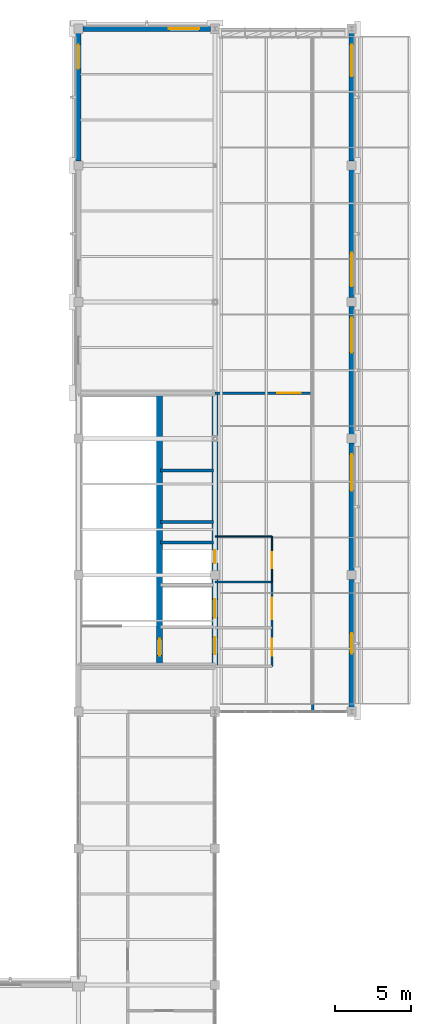
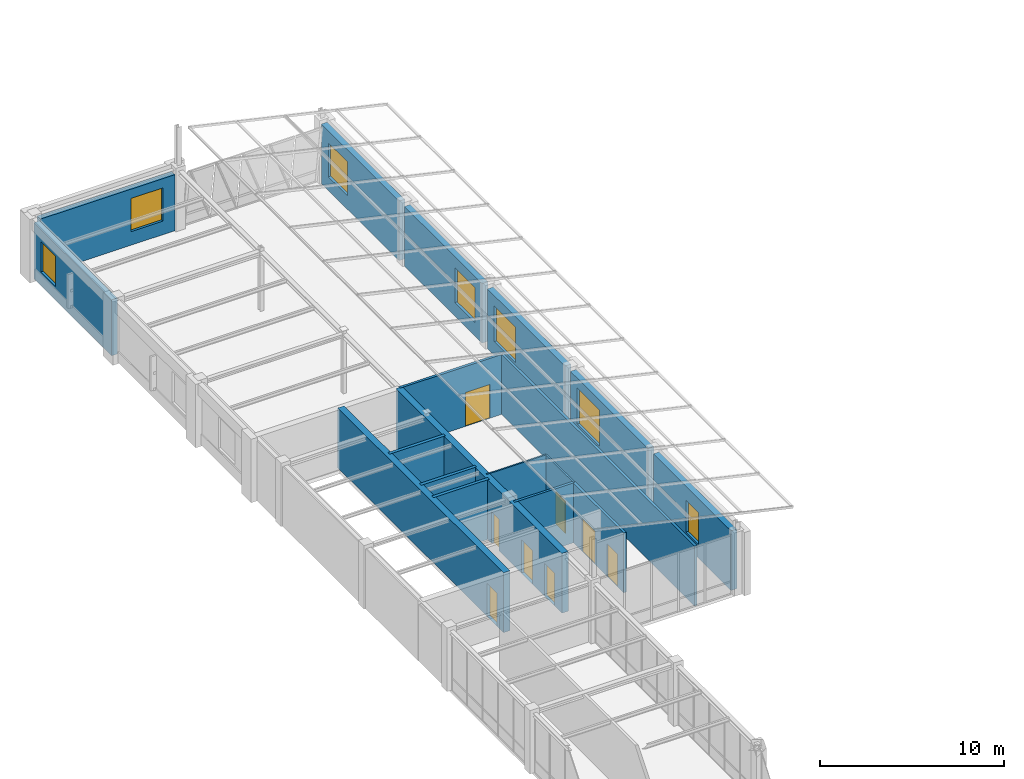
# One storey, part 84 of 97: 18 walls, 8 doors, 7 windows, 15 openings.
"""IFC4 building model written with IfcOpenShell, lengths in metres."""

from ifc_helpers import new_model, si_unit, direction, frame, frame_2d, origin, place, context, subcontext, project, spatial, rectangle, extrude, material, layer, layer_set, type_object, element, fill, save


model = new_model("IFC4")

# Units and contexts
model_context = context("Model", 3, precision=1e-05, world=origin(), true_north=direction((0.0, 1.0)))
body_context = subcontext(model_context, "Body", "Model", "MODEL_VIEW")
ifc_project = project(units=[si_unit("LENGTHUNIT", "METRE"), si_unit("AREAUNIT", "SQUARE_METRE"), si_unit("VOLUMEUNIT", "CUBIC_METRE"), si_unit("PLANEANGLEUNIT", "RADIAN"), si_unit("MASSUNIT", "GRAM", prefix="KILO")], contexts=[model_context])

# Site, building, storey
site_placement = place(None, origin())
site = spatial("IfcSite", under=ifc_project, at=site_placement, CompositionType="ELEMENT")
building_placement = place(site_placement, origin())
building = spatial("IfcBuilding", under=site, at=building_placement, Name="Lykobir Media Centre", CompositionType="ELEMENT")
storey_placement = place(building_placement, frame((0.0, 0.0, 23.39990234375)))
storey = spatial("IfcBuildingStorey", under=building, at=storey_placement, Name="L05", CompositionType="ELEMENT", Elevation=23.39990234375)

# Wall, opening, window
ifc_material_1 = material(Name="Architectural Ochre Brick", Category="masonry")
ifc_layer_1 = layer(ifc_material_1, 0.360107421875, Name="Architectural Ochre Brick")
ifc_layer_set_1 = layer_set([ifc_layer_1], Name="Architectural Ochre Brick")
wall_type_1 = type_object("IfcWallType", Name="EW-BRK-360", PredefinedType="STANDARD", material=ifc_layer_set_1)
wall_1_placement = place(storey_placement, frame((45.0, 63.284912109375, 0.0), z_axis=(0.0, 0.0, 1.0), x_axis=(0.0, 1.0, 0.0)))
wall_1 = element("IfcWall", 1, at=wall_1_placement, inside=storey, type_object=wall_type_1, Name="Exterior wall WALL-L05-0327", PredefinedType="STANDARD", context=body_context, shape_type="SweptSolid", body=[
    extrude(rectangle(XDim=8.43017578125, YDim=0.360107421875, at=frame_2d((4.215087890625, 0.0))), origin(), (0.0, 0.0, 1.0), 3.940185546875),
])
opening_1_placement = place(wall_1_placement, frame((3.5400390625, 0.0, 0.89990234375)))
opening_1 = element("IfcOpeningElement", 2, at=opening_1_placement, cuts=wall_1, Name="Opening WN-1350x2100", PredefinedType="OPENING", context=body_context, shape_type="SweptSolid", body=[
    extrude(rectangle(XDim=1.35009765625, YDim=2.10009765625, at=frame_2d((0.675048828125, 1.050048828125))), frame((0.0, 0.18994140625, 0.0), z_axis=(0.0, -1.0, 0.0), x_axis=(1.0, 0.0, 0.0)), (0.0, 0.0, 1.0), 0.380126953125),
])
ifc_material_2 = material(Name="Low-E Laminated Triple Glazing", Category="glass")
window_type_1 = type_object("IfcWindowType", Name="WN-1350x2100", PartitioningType="SINGLE_PANEL", PredefinedType="WINDOW", material=ifc_material_2)
window_1_placement = place(opening_1_placement, origin())
window_1 = element("IfcWindow", 3, at=window_1_placement, inside=storey, type_object=window_type_1, Name="Window WIN-L05-0138", OverallHeight=2.10009765625, OverallWidth=1.35009765625, PartitioningType="SINGLE_PANEL", PredefinedType="WINDOW", context=body_context, shape_type="SweptSolid", body=[
    extrude(rectangle(XDim=1.35009765625, YDim=2.10009765625, at=frame_2d((0.675048828125, 1.050048828125))), frame((0.0, 0.030029296875, 0.0), z_axis=(0.0, -1.0, 0.0), x_axis=(1.0, 0.0, 0.0)), (0.0, 0.0, 1.0), 0.06005859375),
])
fill(opening_1, window_1)

wall_2_placement = place(storey_placement, frame((45.0, 72.284912109375, 0.0), z_axis=(0.0, 0.0, 1.0), x_axis=(0.0, 1.0, 0.0)))
wall_2 = element("IfcWall", 4, at=wall_2_placement, inside=storey, type_object=wall_type_1, Name="Exterior wall WALL-L05-0328", PredefinedType="STANDARD", context=body_context, shape_type="SweptSolid", body=[
    extrude(rectangle(XDim=8.43017578125, YDim=0.360107421875, at=frame_2d((4.215087890625, 0.0))), origin(), (0.0, 0.0, 1.0), 3.940185546875),
])
opening_2_placement = place(wall_2_placement, frame((5.280029296875, 0.0, 0.89990234375)))
opening_2 = element("IfcOpeningElement", 5, at=opening_2_placement, cuts=wall_2, Name="Opening WN-2400x2400", PredefinedType="OPENING", context=body_context, shape_type="SweptSolid", body=[
    extrude(rectangle(XDim=2.39990234375, YDim=2.39990234375, at=frame_2d((1.199951171875, 1.199951171875))), frame((0.0, 0.18994140625, 0.0), z_axis=(0.0, -1.0, 0.0), x_axis=(1.0, 0.0, 0.0)), (0.0, 0.0, 1.0), 0.380126953125),
])
window_type_2 = type_object("IfcWindowType", Name="WN-2400x2400", PartitioningType="SINGLE_PANEL", PredefinedType="WINDOW", material=ifc_material_2)
window_2_placement = place(opening_2_placement, origin())
window_2 = element("IfcWindow", 6, at=window_2_placement, inside=storey, type_object=window_type_2, Name="Window WIN-L05-0139", OverallHeight=2.39990234375, OverallWidth=2.39990234375, PartitioningType="SINGLE_PANEL", PredefinedType="WINDOW", context=body_context, shape_type="SweptSolid", body=[
    extrude(rectangle(XDim=2.39990234375, YDim=2.39990234375, at=frame_2d((1.199951171875, 1.199951171875))), frame((0.0, 0.030029296875, 0.0), z_axis=(0.0, -1.0, 0.0), x_axis=(1.0, 0.0, 0.0)), (0.0, 0.0, 1.0), 0.06005859375),
])
fill(opening_2, window_2)

wall_3_placement = place(storey_placement, frame((45.0, 81.284912109375, 0.0), z_axis=(0.0, 0.0, 1.0), x_axis=(0.0, 1.0, 0.0)))
wall_3 = element("IfcWall", 7, at=wall_3_placement, inside=storey, type_object=wall_type_1, Name="Exterior wall WALL-L05-0329", PredefinedType="STANDARD", context=body_context, shape_type="SweptSolid", body=[
    extrude(rectangle(XDim=8.43017578125, YDim=0.360107421875, at=frame_2d((4.215087890625, 0.0))), origin(), (0.0, 0.0, 1.0), 3.940185546875),
])
opening_3_placement = place(wall_3_placement, frame((5.3798828125, 0.0, 0.89990234375)))
opening_3 = element("IfcOpeningElement", 8, at=opening_3_placement, cuts=wall_3, Name="Opening WN-2300x2350", PredefinedType="OPENING", context=body_context, shape_type="SweptSolid", body=[
    extrude(rectangle(XDim=2.300048828125, YDim=2.35009765625, at=frame_2d((1.14990234375, 1.175048828125))), frame((0.0, 0.18994140625, 0.0), z_axis=(0.0, -1.0, 0.0), x_axis=(1.0, 0.0, 0.0)), (0.0, 0.0, 1.0), 0.380126953125),
])
window_type_3 = type_object("IfcWindowType", Name="WN-2300x2350", PartitioningType="SINGLE_PANEL", PredefinedType="WINDOW", material=ifc_material_2)
window_3_placement = place(opening_3_placement, origin())
window_3 = element("IfcWindow", 9, at=window_3_placement, inside=storey, type_object=window_type_3, Name="Window WIN-L05-0140", OverallHeight=2.35009765625, OverallWidth=2.300048828125, PartitioningType="SINGLE_PANEL", PredefinedType="WINDOW", context=body_context, shape_type="SweptSolid", body=[
    extrude(rectangle(XDim=2.300048828125, YDim=2.35009765625, at=frame_2d((1.14990234375, 1.175048828125))), frame((0.0, 0.030029296875, 0.0), z_axis=(0.0, -1.0, 0.0), x_axis=(1.0, 0.0, 0.0)), (0.0, 0.0, 1.0), 0.06005859375),
])
fill(opening_3, window_3)

wall_4_placement = place(storey_placement, frame((45.0, 90.284912109375, 0.0), z_axis=(0.0, 0.0, 1.0), x_axis=(0.0, 1.0, 0.0)))
wall_4 = element("IfcWall", 10, at=wall_4_placement, inside=storey, type_object=wall_type_1, Name="Exterior wall WALL-L05-0330", PredefinedType="STANDARD", context=body_context, shape_type="SweptSolid", body=[
    extrude(rectangle(XDim=8.43017578125, YDim=0.360107421875, at=frame_2d((4.215087890625, 0.0))), origin(), (0.0, 0.0, 1.0), 3.940185546875),
])
opening_4_placement = place(wall_4_placement, frame((0.75, 0.0, 0.89990234375)))
opening_4 = element("IfcOpeningElement", 11, at=opening_4_placement, cuts=wall_4, Name="Opening WN-2200x2300", PredefinedType="OPENING", context=body_context, shape_type="SweptSolid", body=[
    extrude(rectangle(XDim=2.199951171875, YDim=2.300048828125, at=frame_2d((1.10009765625, 1.14990234375))), frame((0.0, 0.18994140625, 0.0), z_axis=(0.0, -1.0, 0.0), x_axis=(1.0, 0.0, 0.0)), (0.0, 0.0, 1.0), 0.380126953125),
])
window_type_4 = type_object("IfcWindowType", Name="WN-2200x2300", PartitioningType="SINGLE_PANEL", PredefinedType="WINDOW", material=ifc_material_2)
window_4_placement = place(opening_4_placement, origin())
window_4 = element("IfcWindow", 12, at=window_4_placement, inside=storey, type_object=window_type_4, Name="Window WIN-L05-0141", OverallHeight=2.300048828125, OverallWidth=2.199951171875, PartitioningType="SINGLE_PANEL", PredefinedType="WINDOW", context=body_context, shape_type="SweptSolid", body=[
    extrude(rectangle(XDim=2.199951171875, YDim=2.300048828125, at=frame_2d((1.10009765625, 1.14990234375))), frame((0.0, 0.030029296875, 0.0), z_axis=(0.0, -1.0, 0.0), x_axis=(1.0, 0.0, 0.0)), (0.0, 0.0, 1.0), 0.06005859375),
])
fill(opening_4, window_4)

wall_5_placement = place(storey_placement, frame((45.0, 99.284912109375, 0.0), z_axis=(0.0, 0.0, 1.0), x_axis=(0.0, 1.0, 0.0)))
wall_5 = element("IfcWall", 13, at=wall_5_placement, inside=storey, type_object=wall_type_1, Name="Exterior wall WALL-L05-0331", PredefinedType="STANDARD", context=body_context, shape_type="SweptSolid", body=[
    extrude(rectangle(XDim=8.43017578125, YDim=0.360107421875, at=frame_2d((4.215087890625, 0.0))), origin(), (0.0, 0.0, 1.0), 3.940185546875),
])
opening_5_placement = place(wall_5_placement, frame((5.580078125, 0.0, 0.89990234375)))
opening_5 = element("IfcOpeningElement", 14, at=opening_5_placement, cuts=wall_5, Name="Opening WN-2100x2250", PredefinedType="OPENING", context=body_context, shape_type="SweptSolid", body=[
    extrude(rectangle(XDim=2.10009765625, YDim=2.25, at=frame_2d((1.050048828125, 1.125))), frame((0.0, 0.18994140625, 0.0), z_axis=(0.0, -1.0, 0.0), x_axis=(1.0, 0.0, 0.0)), (0.0, 0.0, 1.0), 0.380126953125),
])
window_type_5 = type_object("IfcWindowType", Name="WN-2100x2250", PartitioningType="SINGLE_PANEL", PredefinedType="WINDOW", material=ifc_material_2)
window_5_placement = place(opening_5_placement, origin())
window_5 = element("IfcWindow", 15, at=window_5_placement, inside=storey, type_object=window_type_5, Name="Window WIN-L05-0142", OverallHeight=2.25, OverallWidth=2.10009765625, PartitioningType="SINGLE_PANEL", PredefinedType="WINDOW", context=body_context, shape_type="SweptSolid", body=[
    extrude(rectangle(XDim=2.10009765625, YDim=2.25, at=frame_2d((1.050048828125, 1.125))), frame((0.0, 0.030029296875, 0.0), z_axis=(0.0, -1.0, 0.0), x_axis=(1.0, 0.0, 0.0)), (0.0, 0.0, 1.0), 0.06005859375),
])
fill(opening_5, window_5)

wall_6_placement = place(storey_placement, frame((35.715087890625, 108.0, 0.0), z_axis=(0.0, 0.0, 1.0), x_axis=(-1.0, 0.0, 0.0)))
wall_6 = element("IfcWall", 16, at=wall_6_placement, inside=storey, type_object=wall_type_1, Name="Exterior wall WALL-L05-0332", PredefinedType="STANDARD", context=body_context, shape_type="SweptSolid", body=[
    extrude(rectangle(XDim=8.43017578125, YDim=0.360107421875, at=frame_2d((4.215087890625, 0.0))), origin(), (0.0, 0.0, 1.0), 3.715087890625),
])
opening_6_placement = place(wall_6_placement, frame((0.75, 0.0, 0.89990234375)))
opening_6 = element("IfcOpeningElement", 17, at=opening_6_placement, cuts=wall_6, Name="Opening WN-2000x2200", PredefinedType="OPENING", context=body_context, shape_type="SweptSolid", body=[
    extrude(rectangle(XDim=2.0, YDim=2.199951171875, at=frame_2d((1.0, 1.10009765625))), frame((0.0, 0.18994140625, 0.0), z_axis=(0.0, -1.0, 0.0), x_axis=(1.0, 0.0, 0.0)), (0.0, 0.0, 1.0), 0.380126953125),
])
window_type_6 = type_object("IfcWindowType", Name="WN-2000x2200", PartitioningType="SINGLE_PANEL", PredefinedType="WINDOW", material=ifc_material_2)
window_6_placement = place(opening_6_placement, origin())
window_6 = element("IfcWindow", 18, at=window_6_placement, inside=storey, type_object=window_type_6, Name="Window WIN-L05-0143", OverallHeight=2.199951171875, OverallWidth=2.0, PartitioningType="SINGLE_PANEL", PredefinedType="WINDOW", context=body_context, shape_type="SweptSolid", body=[
    extrude(rectangle(XDim=2.0, YDim=2.199951171875, at=frame_2d((1.0, 1.10009765625))), frame((0.0, 0.030029296875, 0.0), z_axis=(0.0, -1.0, 0.0), x_axis=(1.0, 0.0, 0.0)), (0.0, 0.0, 1.0), 0.06005859375),
])
fill(opening_6, window_6)

wall_7_placement = place(storey_placement, frame((27.0, 107.715087890625, 0.0), z_axis=(0.0, 0.0, 1.0), x_axis=(0.0, -1.0, 0.0)))
wall_7 = element("IfcWall", 19, at=wall_7_placement, inside=storey, type_object=wall_type_1, Name="Exterior wall WALL-L05-0336", PredefinedType="STANDARD", context=body_context, shape_type="SweptSolid", body=[
    extrude(rectangle(XDim=8.43017578125, YDim=0.360107421875, at=frame_2d((4.215087890625, 0.0))), origin(), (0.0, 0.0, 1.0), 3.715087890625),
])
opening_7_placement = place(wall_7_placement, frame((0.75, 0.0, 0.89990234375)))
opening_7 = element("IfcOpeningElement", 20, at=opening_7_placement, cuts=wall_7, Name="Opening WN-1600x2000", PredefinedType="OPENING", context=body_context, shape_type="SweptSolid", body=[
    extrude(rectangle(XDim=1.60009765625, YDim=2.0, at=frame_2d((0.800048828125, 1.0))), frame((0.0, 0.18994140625, 0.0), z_axis=(0.0, -1.0, 0.0), x_axis=(1.0, 0.0, 0.0)), (0.0, 0.0, 1.0), 0.380126953125),
])
window_type_7 = type_object("IfcWindowType", Name="WN-1600x2000", PartitioningType="SINGLE_PANEL", PredefinedType="WINDOW", material=ifc_material_2)
window_7_placement = place(opening_7_placement, origin())
window_7 = element("IfcWindow", 21, at=window_7_placement, inside=storey, type_object=window_type_7, Name="Window WIN-L05-0146", OverallHeight=2.0, OverallWidth=1.60009765625, PartitioningType="SINGLE_PANEL", PredefinedType="WINDOW", context=body_context, shape_type="SweptSolid", body=[
    extrude(rectangle(XDim=1.60009765625, YDim=2.0, at=frame_2d((0.800048828125, 1.0))), frame((0.0, 0.030029296875, 0.0), z_axis=(0.0, -1.0, 0.0), x_axis=(1.0, 0.0, 0.0)), (0.0, 0.0, 1.0), 0.06005859375),
])
fill(opening_7, window_7)

# Wall, openings, doors
ifc_material_3 = material(Name="Acoustic Gypsum Board", Category="gypsum")
ifc_layer_2 = layer(ifc_material_3, 0.159912109375, Name="Acoustic Gypsum Board")
ifc_layer_set_2 = layer_set([ifc_layer_2], Name="Acoustic Gypsum Board")
wall_type_2 = type_object("IfcWallType", Name="IW-COR-160", PredefinedType="PARTITIONING", material=ifc_layer_set_2)
wall_8_placement = place(storey_placement, frame((39.75, 66.0, 0.0), z_axis=(0.0, 0.0, 1.0), x_axis=(0.0, 1.0, 0.0)))
wall_8 = element("IfcWall", 22, at=wall_8_placement, inside=storey, type_object=wall_type_2, Name="Wall IWALL-L05-0449", PredefinedType="PARTITIONING", context=body_context, shape_type="SweptSolid", body=[
    extrude(rectangle(XDim=5.550048828125, YDim=0.159912109375, at=frame_2d((2.77490234375, 0.0))), origin(), (0.0, 0.0, 1.0), 3.960205078125),
])
opening_8_placement = place(wall_8_placement, frame((0.699951171875, 0.0, 0.0)))
opening_8 = element("IfcOpeningElement", 23, at=opening_8_placement, cuts=wall_8, Name="Opening D-L05-C3LV", PredefinedType="OPENING", context=body_context, shape_type="SweptSolid", body=[
    extrude(rectangle(XDim=1.10009765625, YDim=2.159912109375, at=frame_2d((0.550048828125, 1.080078125))), frame((0.0, 0.08984375, 0.0), z_axis=(0.0, -1.0, 0.0), x_axis=(1.0, 0.0, 0.0)), (0.0, 0.0, 1.0), 0.179931640625),
])
opening_9_placement = place(wall_8_placement, frame((3.10009765625, 0.0, 0.0)))
opening_9 = element("IfcOpeningElement", 24, at=opening_9_placement, cuts=wall_8, Name="Opening D-L05-C3PL", PredefinedType="OPENING", context=body_context, shape_type="SweptSolid", body=[
    extrude(rectangle(XDim=1.39990234375, YDim=2.199951171875, at=frame_2d((0.699951171875, 1.10009765625))), frame((0.0, 0.08984375, 0.0), z_axis=(0.0, -1.0, 0.0), x_axis=(1.0, 0.0, 0.0)), (0.0, 0.0, 1.0), 0.179931640625),
])
ifc_material_4 = material(Name="Acoustic Timber Panelling", Category="wood")
door_type_1 = type_object("IfcDoorType", Name="FD-1100x2160", OperationType="NOTDEFINED", PredefinedType="DOOR", material=ifc_material_4)
door_1_placement = place(opening_8_placement, origin())
door_1 = element("IfcDoor", 25, at=door_1_placement, inside=storey, type_object=door_type_1, Name="Door D-L05-C3LV", OperationType="SINGLE_SWING_LEFT", OverallHeight=2.159912109375, OverallWidth=1.10009765625, PredefinedType="DOOR", context=body_context, shape_type="SweptSolid", body=[
    extrude(rectangle(XDim=1.10009765625, YDim=2.159912109375, at=frame_2d((0.550048828125, 1.080078125))), frame((0.0, 0.02490234375, 0.0), z_axis=(0.0, -1.0, 0.0), x_axis=(1.0, 0.0, 0.0)), (0.0, 0.0, 1.0), 0.050048828125),
])
fill(opening_8, door_1)
door_type_2 = type_object("IfcDoorType", Name="FD-1400x2200", OperationType="NOTDEFINED", PredefinedType="DOOR", material=ifc_material_4)
door_2_placement = place(opening_9_placement, origin())
door_2 = element("IfcDoor", 26, at=door_2_placement, inside=storey, type_object=door_type_2, Name="Door D-L05-C3PL", OperationType="DOUBLE_DOOR_SINGLE_SWING", OverallHeight=2.199951171875, OverallWidth=1.39990234375, PredefinedType="DOOR", context=body_context, shape_type="SweptSolid", body=[
    extrude(rectangle(XDim=1.39990234375, YDim=2.199951171875, at=frame_2d((0.699951171875, 1.10009765625))), frame((0.0, 0.02490234375, 0.0), z_axis=(0.0, -1.0, 0.0), x_axis=(1.0, 0.0, 0.0)), (0.0, 0.0, 1.0), 0.050048828125),
])
fill(opening_9, door_2)

# Walls
wall_9_placement = place(storey_placement, frame((36.0, 71.550048828125, 0.0), z_axis=(0.0, 0.0, 1.0), x_axis=(1.0, 0.0, 0.0)))
element("IfcWall", 27, at=wall_9_placement, inside=storey, type_object=wall_type_2, Name="Wall IWALL-L05-0452", PredefinedType="PARTITIONING", context=body_context, shape_type="SweptSolid", body=[
    extrude(rectangle(XDim=3.75, YDim=0.159912109375, at=frame_2d((1.875, 0.0))), origin(), (0.0, 0.0, 1.0), 3.960205078125),
])
wall_10_placement = place(storey_placement, frame((42.449951171875, 63.0, 0.0), z_axis=(0.0, 0.0, 1.0), x_axis=(0.0, 1.0, 0.0)))
element("IfcWall", 28, at=wall_10_placement, inside=storey, type_object=wall_type_2, Name="Wall IWALL-L05-0764", PredefinedType="PARTITIONING", context=body_context, shape_type="SweptSolid", body=[
    extrude(rectangle(XDim=21.0, YDim=0.159912109375, at=frame_2d((10.5, 0.0))), origin(), (0.0, 0.0, 1.0), 3.960205078125),
])

# Wall, opening, door
wall_11_placement = place(storey_placement, frame((36.0, 84.0, 0.0), z_axis=(0.0, 0.0, 1.0), x_axis=(1.0, 0.0, 0.0)))
wall_11 = element("IfcWall", 29, at=wall_11_placement, inside=storey, type_object=wall_type_2, Name="Wall IWALL-L05-0765", PredefinedType="PARTITIONING", context=body_context, shape_type="SweptSolid", body=[
    extrude(rectangle(XDim=6.449951171875, YDim=0.159912109375, at=frame_2d((3.22509765625, 0.0))), origin(), (0.0, 0.0, 1.0), 3.960205078125),
])
opening_10_placement = place(wall_11_placement, frame((4.10009765625, 0.0, 0.0)))
opening_10 = element("IfcOpeningElement", 30, at=opening_10_placement, cuts=wall_11, Name="Opening D-L05-LIB5", PredefinedType="OPENING", context=body_context, shape_type="SweptSolid", body=[
    extrude(rectangle(XDim=1.550048828125, YDim=2.239990234375, at=frame_2d((0.77490234375, 1.1201171875))), frame((0.0, 0.08984375, 0.0), z_axis=(0.0, -1.0, 0.0), x_axis=(1.0, 0.0, 0.0)), (0.0, 0.0, 1.0), 0.179931640625),
])
door_type_3 = type_object("IfcDoorType", Name="FD-1550x2240", OperationType="NOTDEFINED", PredefinedType="DOOR", material=ifc_material_4)
door_3_placement = place(opening_10_placement, origin())
door_3 = element("IfcDoor", 31, at=door_3_placement, inside=storey, type_object=door_type_3, Name="Door D-L05-LIB5", OperationType="DOUBLE_DOOR_SINGLE_SWING", OverallHeight=2.239990234375, OverallWidth=1.550048828125, PredefinedType="DOOR", context=body_context, shape_type="SweptSolid", body=[
    extrude(rectangle(XDim=1.550048828125, YDim=2.239990234375, at=frame_2d((0.77490234375, 1.1201171875))), frame((0.0, 0.02490234375, 0.0), z_axis=(0.0, -1.0, 0.0), x_axis=(1.0, 0.0, 0.0)), (0.0, 0.0, 1.0), 0.050048828125),
])
fill(opening_10, door_3)

# Walls
ifc_material_5 = material(Name="Concrete C30/37", Category="concrete")
ifc_layer_3 = layer(ifc_material_5, 0.199951171875, Name="Concrete C30/37")
ifc_layer_set_3 = layer_set([ifc_layer_3], Name="Concrete C30/37")
wall_type_3 = type_object("IfcWallType", Name="IW-SHAFT-200", PredefinedType="PARTITIONING", material=ifc_layer_set_3)
for number, where, z_axis, x_axis, name in (
    (32, (32.39990234375, 74.14990234375, 0.0), (0.0, 0.0, 1.0), (1.0, 0.0, 0.0), "Wall IWALL-L05-0446"),
    (33, (32.39990234375, 75.5, 0.0), (0.0, 0.0, 1.0), (1.0, 0.0, 0.0), "Wall IWALL-L05-0447"),
    (34, (32.39990234375, 78.89990234375, 0.0), (0.0, 0.0, 1.0), (1.0, 0.0, 0.0), "Wall IWALL-L05-0448"),
):
    element("IfcWall", number, at=place(storey_placement, frame(where, z_axis=z_axis, x_axis=x_axis)), inside=storey, type_object=wall_type_3, Name=name, PredefinedType="PARTITIONING", context=body_context, shape_type="SweptSolid", body=[
        extrude(rectangle(XDim=3.5, YDim=0.199951171875, at=frame_2d((1.75, 0.0))), origin(), (0.0, 0.0, 1.0), 3.960205078125),
    ])

# Wall, opening, door
ifc_layer_4 = layer(ifc_material_3, 0.094970703125, Name="Acoustic Gypsum Board")
ifc_layer_set_4 = layer_set([ifc_layer_4], Name="Acoustic Gypsum Board")
wall_type_4 = type_object("IfcWallType", Name="IW-WC-095", PredefinedType="PARTITIONING", material=ifc_layer_set_4)
wall_12_placement = place(storey_placement, frame((39.75, 71.550048828125, 0.0), z_axis=(0.0, 0.0, 1.0), x_axis=(0.0, 1.0, 0.0)))
wall_12 = element("IfcWall", 35, at=wall_12_placement, inside=storey, type_object=wall_type_4, Name="Wall IWALL-L05-0453", PredefinedType="PARTITIONING", context=body_context, shape_type="SweptSolid", body=[
    extrude(rectangle(XDim=3.0, YDim=0.094970703125, at=frame_2d((1.5, 0.0))), origin(), (0.0, 0.0, 1.0), 3.960205078125),
])
opening_11_placement = place(wall_12_placement, frame((0.89990234375, 0.0, 0.0)))
opening_11 = element("IfcOpeningElement", 36, at=opening_11_placement, cuts=wall_12, Name="Opening D-L05-WCA3", PredefinedType="OPENING", context=body_context, shape_type="SweptSolid", body=[
    extrude(rectangle(XDim=1.050048828125, YDim=2.1298828125, at=frame_2d((0.52490234375, 1.06494140625))), frame((0.0, 0.057373046875, 0.0), z_axis=(0.0, -1.0, 0.0), x_axis=(1.0, 0.0, 0.0)), (0.0, 0.0, 1.0), 0.114990234375),
])
door_type_4 = type_object("IfcDoorType", Name="ID-1050x2130", OperationType="NOTDEFINED", PredefinedType="DOOR", material=ifc_material_4)
door_4_placement = place(opening_11_placement, origin())
door_4 = element("IfcDoor", 37, at=door_4_placement, inside=storey, type_object=door_type_4, Name="Door D-L05-WCA3", OperationType="SINGLE_SWING_RIGHT", OverallHeight=2.1298828125, OverallWidth=1.050048828125, PredefinedType="DOOR", context=body_context, shape_type="SweptSolid", body=[
    extrude(rectangle(XDim=1.050048828125, YDim=2.1298828125, at=frame_2d((0.52490234375, 1.06494140625))), frame((0.0, 0.02490234375, 0.0), z_axis=(0.0, -1.0, 0.0), x_axis=(1.0, 0.0, 0.0)), (0.0, 0.0, 1.0), 0.050048828125),
])
fill(opening_11, door_4)

# Wall
wall_13_placement = place(storey_placement, frame((36.0, 74.550048828125, 0.0), z_axis=(0.0, 0.0, 1.0), x_axis=(1.0, 0.0, 0.0)))
element("IfcWall", 38, at=wall_13_placement, inside=storey, type_object=wall_type_4, Name="Wall IWALL-L05-0454", PredefinedType="PARTITIONING", context=body_context, shape_type="SweptSolid", body=[
    extrude(rectangle(XDim=3.75, YDim=0.094970703125, at=frame_2d((1.875, 0.0))), origin(), (0.0, 0.0, 1.0), 3.960205078125),
])

# Wall, openings, doors
ifc_material_6 = material(Name="Concrete C40/50", Category="concrete")
ifc_layer_5 = layer(ifc_material_6, 0.39990234375, Name="Concrete C40/50")
ifc_layer_set_5 = layer_set([ifc_layer_5], Name="Concrete C40/50")
wall_type_5 = type_object("IfcWallType", Name="SW-CORE-400", PredefinedType="SHEAR", material=ifc_layer_set_5)
wall_14_placement = place(storey_placement, frame((36.0, 66.0, 0.0), z_axis=(0.0, 0.0, 1.0), x_axis=(0.0, 1.0, 0.0)))
wall_14 = element("IfcWall", 39, at=wall_14_placement, inside=storey, type_object=wall_type_5, Name="Wall IWALL-L05-0440", PredefinedType="SHEAR", context=body_context, shape_type="SweptSolid", body=[
    extrude(rectangle(XDim=18.0, YDim=0.39990234375, at=frame_2d((9.0, 0.0))), origin(), (0.0, 0.0, 1.0), 3.960205078125),
])
opening_12_placement = place(wall_14_placement, frame((0.800048828125, 0.0, 0.0)))
opening_12 = element("IfcOpeningElement", 40, at=opening_12_placement, cuts=wall_14, Name="Opening D-L05-C3VB", PredefinedType="OPENING", context=body_context, shape_type="SweptSolid", body=[
    extrude(rectangle(XDim=1.10009765625, YDim=2.159912109375, at=frame_2d((0.550048828125, 1.080078125))), frame((0.0, 0.2099609375, 0.0), z_axis=(0.0, -1.0, 0.0), x_axis=(1.0, 0.0, 0.0)), (0.0, 0.0, 1.0), 0.419921875),
])
opening_13_placement = place(wall_14_placement, frame((3.199951171875, 0.0, 0.0)))
opening_13 = element("IfcOpeningElement", 41, at=opening_13_placement, cuts=wall_14, Name="Opening LD-L05-PL-3", PredefinedType="OPENING", context=body_context, shape_type="SweptSolid", body=[
    extrude(rectangle(XDim=1.199951171875, YDim=2.199951171875, at=frame_2d((0.60009765625, 1.10009765625))), frame((0.0, 0.2099609375, 0.0), z_axis=(0.0, -1.0, 0.0), x_axis=(1.0, 0.0, 0.0)), (0.0, 0.0, 1.0), 0.419921875),
])
opening_14_placement = place(wall_14_placement, frame((6.800048828125, 0.0, 0.0)))
opening_14 = element("IfcOpeningElement", 42, at=opening_14_placement, cuts=wall_14, Name="Opening D-L05-C3RS", PredefinedType="OPENING", context=body_context, shape_type="SweptSolid", body=[
    extrude(rectangle(XDim=0.85009765625, YDim=2.10009765625, at=frame_2d((0.425048828125, 1.050048828125))), frame((0.0, 0.2099609375, 0.0), z_axis=(0.0, -1.0, 0.0), x_axis=(1.0, 0.0, 0.0)), (0.0, 0.0, 1.0), 0.419921875),
])
ifc_material_7 = material(Name="Anodized Aluminium AW-6060", Category="aluminium")
door_type_5 = type_object("IfcDoorType", Name="FD-0850x2100", OperationType="NOTDEFINED", PredefinedType="DOOR", material=ifc_material_7)
door_5_placement = place(opening_14_placement, origin())
door_5 = element("IfcDoor", 43, at=door_5_placement, inside=storey, type_object=door_type_5, Name="Riser access door C3 L05", OperationType="SINGLE_SWING_RIGHT", OverallHeight=2.10009765625, OverallWidth=0.85009765625, PredefinedType="DOOR", context=body_context, shape_type="SweptSolid", body=[
    extrude(rectangle(XDim=0.85009765625, YDim=2.10009765625, at=frame_2d((0.425048828125, 1.050048828125))), frame((0.0, 0.02490234375, 0.0), z_axis=(0.0, -1.0, 0.0), x_axis=(1.0, 0.0, 0.0)), (0.0, 0.0, 1.0), 0.050048828125),
])
fill(opening_14, door_5)
door_6_placement = place(opening_12_placement, origin())
door_6 = element("IfcDoor", 44, at=door_6_placement, inside=storey, type_object=door_type_1, Name="Door D-L05-C3VB", OperationType="SINGLE_SWING_LEFT", OverallHeight=2.159912109375, OverallWidth=1.10009765625, PredefinedType="DOOR", context=body_context, shape_type="SweptSolid", body=[
    extrude(rectangle(XDim=1.10009765625, YDim=2.159912109375, at=frame_2d((0.550048828125, 1.080078125))), frame((0.0, 0.02490234375, 0.0), z_axis=(0.0, -1.0, 0.0), x_axis=(1.0, 0.0, 0.0)), (0.0, 0.0, 1.0), 0.050048828125),
])
fill(opening_12, door_6)
door_type_6 = type_object("IfcDoorType", Name="LD-1200x2200", OperationType="NOTDEFINED", PredefinedType="DOOR", material=ifc_material_7)
door_7_placement = place(opening_13_placement, origin())
door_7 = element("IfcDoor", 45, at=door_7_placement, inside=storey, type_object=door_type_6, Name="Lift landing door PL-3 L05", OperationType="SLIDING_TO_LEFT", OverallHeight=2.199951171875, OverallWidth=1.199951171875, PredefinedType="DOOR", context=body_context, shape_type="SweptSolid", body=[
    extrude(rectangle(XDim=1.199951171875, YDim=2.199951171875, at=frame_2d((0.60009765625, 1.10009765625))), frame((0.0, 0.02490234375, 0.0), z_axis=(0.0, -1.0, 0.0), x_axis=(1.0, 0.0, 0.0)), (0.0, 0.0, 1.0), 0.050048828125),
])
fill(opening_13, door_7)

# Wall, opening, door
wall_15_placement = place(storey_placement, frame((32.35009765625, 66.0, 0.0), z_axis=(0.0, 0.0, 1.0), x_axis=(0.0, 1.0, 0.0)))
wall_15 = element("IfcWall", 46, at=wall_15_placement, inside=storey, type_object=wall_type_5, Name="Wall IWALL-L05-0443", PredefinedType="SHEAR", context=body_context, shape_type="SweptSolid", body=[
    extrude(rectangle(XDim=18.0, YDim=0.39990234375, at=frame_2d((9.0, 0.0))), origin(), (0.0, 0.0, 1.0), 3.960205078125),
])
opening_15_placement = place(wall_15_placement, frame((0.699951171875, 0.0, 0.0)))
opening_15 = element("IfcOpeningElement", 47, at=opening_15_placement, cuts=wall_15, Name="Opening D-L05-C3ST", PredefinedType="OPENING", context=body_context, shape_type="SweptSolid", body=[
    extrude(rectangle(XDim=1.10009765625, YDim=2.159912109375, at=frame_2d((0.550048828125, 1.080078125))), frame((0.0, 0.2099609375, 0.0), z_axis=(0.0, -1.0, 0.0), x_axis=(1.0, 0.0, 0.0)), (0.0, 0.0, 1.0), 0.419921875),
])
door_8_placement = place(opening_15_placement, frame((1.10009765625, 0.0, 0.0), z_axis=(0.0, 0.0, 1.0), x_axis=(-1.0, 0.0, 0.0)))
door_8 = element("IfcDoor", 48, at=door_8_placement, inside=storey, type_object=door_type_1, Name="L05 ST-3 stairwell fire door", OperationType="SINGLE_SWING_RIGHT", OverallHeight=2.159912109375, OverallWidth=1.10009765625, PredefinedType="DOOR", context=body_context, shape_type="SweptSolid", body=[
    extrude(rectangle(XDim=1.10009765625, YDim=2.159912109375, at=frame_2d((0.550048828125, 1.080078125))), frame((0.0, 0.02490234375, 0.0), z_axis=(0.0, -1.0, 0.0), x_axis=(1.0, 0.0, 0.0)), (0.0, 0.0, 1.0), 0.050048828125),
])
fill(opening_15, door_8)

save(model, "model.ifc")
